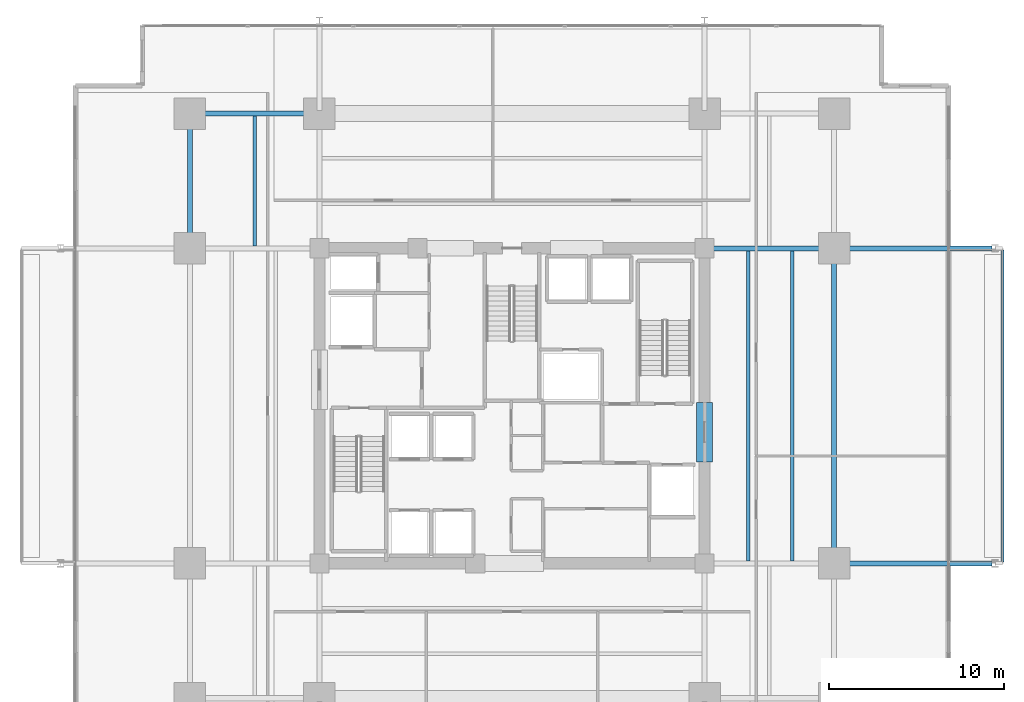
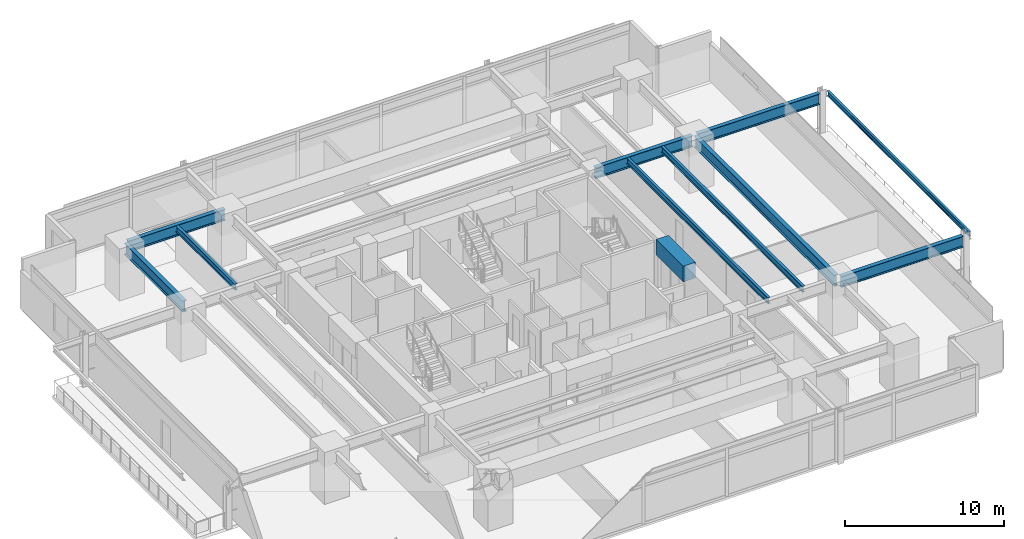
# One storey, part 7 of 21: 11 beams.
"""IFC4 building model written with IfcOpenShell, lengths in metres."""

import ifcopenshell
import ifcopenshell.guid

model = None  # the IFC model being written
_history = None  # IfcOwnerHistory: only IFC2X3 demands one
_inside = {}  # id of a spatial element -> (the spatial element, [elements in it])
_under = {}  # id of a project, library or spatial element -> (it, [spatial elements below it])
_declared = {}  # id of a project -> (the project, [libraries it declares])
_typed = {}  # id of a type object -> (the type object, [elements of that type])
_made_of = {}  # id of a material, layer set ... -> (it, [elements and type objects made of it])


def new_model(schema):
    """Start an empty IFC model of exactly this schema.

    Asked for "IFC4X3", IfcOpenShell would pick the latest addendum, in which some entities
    have other attributes; the version numbers below select the first issue.
    IFC2X3 requires an IfcOwnerHistory on every rooted entity: one is made here for all.
    """
    global model, _history
    if schema == "IFC4X3":
        model = ifcopenshell.file(schema_version=(4, 3, 0, 0))
    else:
        model = ifcopenshell.file(schema=schema)
    _inside.clear()
    _under.clear()
    _declared.clear()
    _typed.clear()
    _made_of.clear()
    _history = None
    if model.schema == "IFC2X3":
        org = make("IfcOrganization", Name="unknown")
        user = make(
            "IfcPersonAndOrganization",
            ThePerson=make("IfcPerson", FamilyName="unknown"),
            TheOrganization=org,
        )
        app = make(
            "IfcApplication",
            ApplicationDeveloper=org,
            Version="unknown",
            ApplicationFullName="unknown",
            ApplicationIdentifier="unknown",
        )
        _history = make(
            "IfcOwnerHistory",
            OwningUser=user,
            OwningApplication=app,
            ChangeAction="ADDED",
            CreationDate=0,
        )
    return model


def make(cls, **values):
    """One entity of the class cls with the attributes given. An attribute that is None is left unset."""
    return model.create_entity(
        cls, **{name: value for name, value in values.items() if value is not None}
    )


def rooted(cls, **values):
    """An entity with a GlobalId (a new one), such as an element, a storey or a relation."""
    return make(cls, GlobalId=ifcopenshell.guid.new(), OwnerHistory=_history, **values)


def si_unit(unit_type, name, prefix=None):
    """IfcSIUnit, for example si_unit("LENGTHUNIT", "METRE", prefix="MILLI")."""
    return make("IfcSIUnit", UnitType=unit_type, Prefix=prefix, Name=name)


def assignment(units):
    """IfcUnitAssignment: the units of a project."""
    return None if units is None else make("IfcUnitAssignment", Units=units)


def point(xyz):
    """IfcCartesianPoint."""
    return None if xyz is None else make("IfcCartesianPoint", Coordinates=xyz)


def direction(xyz):
    """IfcDirection."""
    return None if xyz is None else make("IfcDirection", DirectionRatios=xyz)


def frame(location, z_axis=None, x_axis=None):
    """IfcAxis2Placement3D, a coordinate frame: its origin and axes. An axis left out is left unset."""
    return make(
        "IfcAxis2Placement3D",
        Location=point(location),
        Axis=direction(z_axis),
        RefDirection=direction(x_axis),
    )


def frame_2d(location, x_axis=None):
    """IfcAxis2Placement2D, a coordinate frame in the plane: its origin and x axis."""
    return make(
        "IfcAxis2Placement2D", Location=point(location), RefDirection=direction(x_axis)
    )


def origin():
    """The frame at (0, 0, 0) with its axes left unset."""
    return frame((0.0, 0.0, 0.0))


def origin_2d():
    """The frame at (0, 0) in the plane with its x axis left unset."""
    return frame_2d((0.0, 0.0))


def place(relative_to, where):
    """IfcLocalPlacement: puts the frame where relative to a parent placement (None: the world)."""
    return make(
        "IfcLocalPlacement", PlacementRelTo=relative_to, RelativePlacement=where
    )


def context(
    kind, dimensions, precision=None, world=None, true_north=None, identifier=None
):
    """IfcGeometricRepresentationContext, for example the 3D "Model" context."""
    return make(
        "IfcGeometricRepresentationContext",
        ContextIdentifier=identifier,
        ContextType=kind,
        CoordinateSpaceDimension=dimensions,
        Precision=precision,
        WorldCoordinateSystem=world,
        TrueNorth=true_north,
    )


def subcontext(parent, identifier, kind, view, scale=None):
    """IfcGeometricRepresentationSubContext, for example "Body" below "Model"."""
    return make(
        "IfcGeometricRepresentationSubContext",
        ContextIdentifier=identifier,
        ContextType=kind,
        ParentContext=parent,
        TargetScale=scale,
        TargetView=view,
    )


def project(units=None, contexts=None):
    """IfcProject with its units and contexts."""
    return rooted(
        "IfcProject",
        Name="project",
        RepresentationContexts=contexts,
        UnitsInContext=assignment(units),
    )


def spatial(cls, under=None, at=None, **own):
    """A site, building, storey or space (cls), placed at a placement, below another one or the project."""
    s = rooted(cls, ObjectPlacement=at, **own)
    if under is not None:
        _under.setdefault(under.id(), (under, []))[1].append(s)
    return s


def profile(cls, at=None, kind="AREA", **sizes):
    """A parametric profile (cls). Its sizes go by their IFC names, for example OverallWidth=200.0."""
    return make(cls, ProfileType=kind, Position=at, **sizes)


def rectangle(**sizes):
    """IfcRectangleProfileDef."""
    return profile("IfcRectangleProfileDef", **sizes)


def i_section(**sizes):
    """IfcIShapeProfileDef."""
    return profile("IfcIShapeProfileDef", **sizes)


def extrude(swept, where, along, depth):
    """IfcExtrudedAreaSolid: the profile swept, set in the frame where, extruded along a direction by depth."""
    return make(
        "IfcExtrudedAreaSolid",
        SweptArea=swept,
        Position=where,
        ExtrudedDirection=direction(along),
        Depth=depth,
    )


def shape(context_of_items, identifier, shape_type, items):
    """IfcShapeRepresentation: the items that make up one representation, for example the "Body"."""
    return make(
        "IfcShapeRepresentation",
        ContextOfItems=context_of_items,
        RepresentationIdentifier=identifier,
        RepresentationType=shape_type,
        Items=items,
    )


def material(Name=None, Category=None):
    """IfcMaterial."""
    return make("IfcMaterial", Name=Name, Category=Category)


def material_profile(
    of_material, cross_section, Name=None, Category=None, Priority=None
):
    """IfcMaterialProfile: a cross section and its material."""
    return make(
        "IfcMaterialProfile",
        Name=Name,
        Material=of_material,
        Profile=cross_section,
        Priority=Priority,
        Category=Category,
    )


def profile_set(profiles, Name=None, composite=None):
    """IfcMaterialProfileSet."""
    return make(
        "IfcMaterialProfileSet",
        Name=Name,
        MaterialProfiles=profiles,
        CompositeProfile=composite,
    )


def made_of(thing, what):
    """Note that an element or type object is made of a material, layer set ...; save() writes the relation."""
    if what is not None:
        _made_of.setdefault(what.id(), (what, []))[1].append(thing)
    return thing


def type_object(cls, material=None, **own):
    """A type object (cls), such as IfcWallType, which elements share."""
    return made_of(rooted(cls, **own), material)


def element(
    cls,
    number,
    at=None,
    inside=None,
    cuts=None,
    type_object=None,
    material=None,
    context=None,
    identifier="Body",
    shape_type=None,
    held_by="IfcProductDefinitionShape",
    body=None,
    shapes=None,
    **own,
):
    """One element of the class cls, such as IfcWall. Its Tag is "e" and its number.

    at: its placement. inside: the storey or other place that contains it. cuts: it is an
    opening in that element (IfcRelVoidsElement). A single representation is given by context,
    identifier, shape_type and body (its items); several are given by shapes. held_by: the class
    of the entity that holds the representations. save() writes the other relations.
    """
    e = rooted(cls, Tag="e%d" % number, ObjectPlacement=at, **own)
    if body is not None:
        shapes = [shape(context, identifier, shape_type, body)]
    if shapes is not None:
        e.Representation = make(held_by, Representations=shapes)
    if inside is not None:
        _inside.setdefault(inside.id(), (inside, []))[1].append(e)
    if cuts is not None:
        rooted(
            "IfcRelVoidsElement", RelatingBuildingElement=cuts, RelatedOpeningElement=e
        )
    if type_object is not None:
        _typed.setdefault(type_object.id(), (type_object, []))[1].append(e)
    return made_of(e, material)


def aggregate(whole, parts):
    """IfcRelAggregates: a whole, such as a stair, and the parts it consists of."""
    return rooted("IfcRelAggregates", RelatingObject=whole, RelatedObjects=parts)


def save(model, path):
    """Write the relations noted so far, then the file.

    IfcRelAggregates (storeys below a building ...), IfcRelContainedInSpatialStructure (elements
    in a storey), IfcRelDefinesByType, IfcRelAssociatesMaterial and IfcRelDeclares: one each for
    every whole, place, type object, material and project.
    """
    for whole, parts in _under.values():
        aggregate(whole, parts)
    for where, things in _inside.values():
        rooted(
            "IfcRelContainedInSpatialStructure",
            RelatedElements=things,
            RelatingStructure=where,
        )
    for kind, things in _typed.values():
        rooted("IfcRelDefinesByType", RelatedObjects=things, RelatingType=kind)
    for what, things in _made_of.values():
        rooted("IfcRelAssociatesMaterial", RelatedObjects=things, RelatingMaterial=what)
    for by, libraries in _declared.values():
        rooted("IfcRelDeclares", RelatingContext=by, RelatedDefinitions=libraries)
    model.write(path)


model = new_model("IFC4")

# Units and contexts
model_context = context("Model", 3, precision=1e-05, world=origin(), true_north=direction((0.0, 1.0)))
body_context = subcontext(model_context, "Body", "Model", "MODEL_VIEW")
ifc_project = project(units=[si_unit("LENGTHUNIT", "METRE"), si_unit("AREAUNIT", "SQUARE_METRE"), si_unit("VOLUMEUNIT", "CUBIC_METRE"), si_unit("PLANEANGLEUNIT", "RADIAN"), si_unit("MASSUNIT", "GRAM", prefix="KILO")], contexts=[model_context])

# Site, building, storey
site_placement = place(None, origin())
site = spatial("IfcSite", under=ifc_project, at=site_placement, CompositionType="ELEMENT")
building_placement = place(site_placement, origin())
building = spatial("IfcBuilding", under=site, at=building_placement, Name="Kovane Verandah Tower", CompositionType="ELEMENT")
storey_placement = place(building_placement, frame((0.0, 0.0, 31.60009765625)))
storey = spatial("IfcBuildingStorey", under=building, at=storey_placement, Name="L06", CompositionType="ELEMENT", Elevation=31.60009765625)

# Beams
ifc_material_1 = material(Name="Concrete C80/95", Category="concrete")
ifc_material_profile_1 = material_profile(ifc_material_1, rectangle(XDim=0.89990234375, YDim=1.199951171875, at=origin_2d()), Name="RCB900x1200")
ifc_profile_set_1 = profile_set([ifc_material_profile_1], Name="Concrete C80/95")
beam_type_1 = type_object("IfcBeamType", Name="BM-LINTEL-900x1200", PredefinedType="LINTEL", material=ifc_profile_set_1)
beam_1_placement = place(storey_placement, frame((51.0, 24.300048828125, 3.159912109375), z_axis=(0.0, 1.0, 0.0), x_axis=(-1.0, 0.0, 0.0)))
element("IfcBeam", 1, at=beam_1_placement, inside=storey, type_object=beam_type_1, Name="L06 Core Coupling Lintel CL-E", PredefinedType="LINTEL", context=body_context, shape_type="SweptSolid", body=[
    extrude(rectangle(XDim=0.89990234375, YDim=1.199951171875, at=origin_2d()), origin(), (0.0, 0.0, 1.0), 3.39990234375),
])
ifc_material_2 = material(Name="Steel S355", Category="steel")
ifc_material_profile_2 = material_profile(ifc_material_2, i_section(OverallWidth=0.293701171875, OverallDepth=0.850830078125, WebThickness=0.01611328125, FlangeThickness=0.02685546875, FilletRadius=0.017822265625, at=origin_2d()), Name="UB838x292x226")
ifc_profile_set_2 = profile_set([ifc_material_profile_2], Name="Steel S355")
beam_type_2 = type_object("IfcBeamType", Name="BM-UB838x226", PredefinedType="BEAM", material=ifc_profile_set_2)
beam_2_placement = place(storey_placement, frame((21.780029296875, 44.199951171875, 3.33447265625), z_axis=(1.0, 0.0, 0.0), x_axis=(0.0, 1.0, 0.0)))
element("IfcBeam", 2, at=beam_2_placement, inside=storey, type_object=beam_type_2, Name="L06 Primary Tower Girder G-RN1", PredefinedType="BEAM", context=body_context, shape_type="SweptSolid", body=[
    extrude(i_section(OverallWidth=0.293701171875, OverallDepth=0.850830078125, WebThickness=0.01611328125, FlangeThickness=0.02685546875, FilletRadius=0.017822265625, at=origin_2d()), origin(), (0.0, 0.0, 1.0), 7.0400390625),
])
beam_3_placement = place(storey_placement, frame((21.60009765625, 36.679931640625, 3.33447265625), z_axis=(0.0, 1.0, 0.0), x_axis=(-1.0, 0.0, 0.0)))
element("IfcBeam", 3, at=beam_3_placement, inside=storey, type_object=beam_type_2, Name="L06 Primary Tower Girder G-RW3", PredefinedType="BEAM", context=body_context, shape_type="SweptSolid", body=[
    extrude(i_section(OverallWidth=0.293701171875, OverallDepth=0.850830078125, WebThickness=0.01611328125, FlangeThickness=0.02685546875, FilletRadius=0.017822265625, at=origin_2d()), origin(), (0.0, 0.0, 1.0), 7.340087890625),
])
beam_4_placement = place(storey_placement, frame((58.39990234375, 18.679931640625, 3.33447265625), z_axis=(0.0, 1.0, 0.0), x_axis=(-1.0, 0.0, 0.0)))
element("IfcBeam", 4, at=beam_4_placement, inside=storey, type_object=beam_type_2, Name="L06 Primary Tower Girder G-RE2", PredefinedType="BEAM", context=body_context, shape_type="SweptSolid", body=[
    extrude(i_section(OverallWidth=0.293701171875, OverallDepth=0.850830078125, WebThickness=0.01611328125, FlangeThickness=0.02685546875, FilletRadius=0.017822265625, at=origin_2d()), origin(), (0.0, 0.0, 1.0), 17.64013671875),
])
beam_5_placement = place(storey_placement, frame((51.179931640625, 36.5, 3.33447265625), z_axis=(1.0, 0.0, 0.0), x_axis=(0.0, 1.0, 0.0)))
element("IfcBeam", 5, at=beam_5_placement, inside=storey, type_object=beam_type_2, Name="L06 Primary Tower Girder G-E2", PredefinedType="BEAM", context=body_context, shape_type="SweptSolid", body=[
    extrude(i_section(OverallWidth=0.293701171875, OverallDepth=0.850830078125, WebThickness=0.01611328125, FlangeThickness=0.02685546875, FilletRadius=0.017822265625, at=origin_2d()), origin(), (0.0, 0.0, 1.0), 7.0400390625),
])
for number, where, z_axis, x_axis, name in (
    (6, (58.580078125, 18.5, 3.33447265625), (1.0, 0.0, 0.0), (0.0, 1.0, 0.0), "L06 Primary Tower Girder G-VE1"),
    (7, (58.580078125, 36.5, 3.33447265625), (1.0, 0.0, 0.0), (0.0, 1.0, 0.0), "L06 Primary Tower Girder G-VE2"),
):
    element("IfcBeam", number, at=place(storey_placement, frame(where, z_axis=z_axis, x_axis=x_axis)), inside=storey, type_object=beam_type_2, Name=name, PredefinedType="BEAM", context=body_context, shape_type="SweptSolid", body=[
        extrude(i_section(OverallWidth=0.293701171875, OverallDepth=0.850830078125, WebThickness=0.01611328125, FlangeThickness=0.02685546875, FilletRadius=0.017822265625, at=origin_2d()), origin(), (0.0, 0.0, 1.0), 8.83984375),
    ])
ifc_material_profile_3 = material_profile(ifc_material_2, i_section(OverallWidth=0.19287109375, OverallDepth=0.46728515625, WebThickness=0.011474609375, FlangeThickness=0.01953125, FilletRadius=0.01025390625, at=origin_2d()), Name="UB457x191x98")
ifc_profile_set_3 = profile_set([ifc_material_profile_3], Name="Steel S355")
beam_type_3 = type_object("IfcBeamType", Name="JST-UB457x98", PredefinedType="JOIST", material=ifc_profile_set_3)
for number, where, z_axis, x_axis, name in (
    (8, (53.5, 18.64501953125, 3.5263671875), (0.0, 1.0, 0.0), (-1.0, 0.0, 0.0), "L06 Secondary Composite Joist J-E1"),
    (9, (56.0, 18.64501953125, 3.5263671875), (0.0, 1.0, 0.0), (-1.0, 0.0, 0.0), "L06 Secondary Composite Joist J-E2"),
):
    element("IfcBeam", number, at=place(storey_placement, frame(where, z_axis=z_axis, x_axis=x_axis)), inside=storey, type_object=beam_type_3, Name=name, PredefinedType="JOIST", context=body_context, shape_type="SweptSolid", body=[
        extrude(i_section(OverallWidth=0.19287109375, OverallDepth=0.46728515625, WebThickness=0.011474609375, FlangeThickness=0.01953125, FilletRadius=0.01025390625, at=origin_2d()), origin(), (0.0, 0.0, 1.0), 17.7099609375),
    ])
beam_6_placement = place(storey_placement, frame((25.300048828125, 36.64501953125, 3.5263671875), z_axis=(0.0, 1.0, 0.0), x_axis=(-1.0, 0.0, 0.0)))
element("IfcBeam", 10, at=beam_6_placement, inside=storey, type_object=beam_type_3, Name="L06 Secondary Composite Joist J-NW1", PredefinedType="JOIST", context=body_context, shape_type="SweptSolid", body=[
    extrude(i_section(OverallWidth=0.19287109375, OverallDepth=0.46728515625, WebThickness=0.011474609375, FlangeThickness=0.01953125, FilletRadius=0.01025390625, at=origin_2d()), origin(), (0.0, 0.0, 1.0), 7.41015625),
])
ifc_material_profile_4 = material_profile(ifc_material_2, i_section(OverallWidth=0.173095703125, OverallDepth=0.36328125, WebThickness=0.009033203125, FlangeThickness=0.015625, FilletRadius=0.01025390625, at=origin_2d()), Name="UB356x171x67")
ifc_profile_set_4 = profile_set([ifc_material_profile_4], Name="Steel S355")
beam_type_4 = type_object("IfcBeamType", Name="SPD-UB356x67", PredefinedType="USERDEFINED", material=ifc_profile_set_4)
beam_7_placement = place(storey_placement, frame((68.0205078125, 18.594482421875, 3.578125), z_axis=(0.0, 1.0, 0.0), x_axis=(-1.0, 0.0, 0.0)))
element("IfcBeam", 11, at=beam_7_placement, inside=storey, type_object=beam_type_4, Name="L06 East Planter Edge Spandrel", ObjectType="SPANDREL", PredefinedType="USERDEFINED", context=body_context, shape_type="SweptSolid", body=[
    extrude(i_section(OverallWidth=0.173095703125, OverallDepth=0.36328125, WebThickness=0.009033203125, FlangeThickness=0.015625, FilletRadius=0.01025390625, at=origin_2d()), origin(), (0.0, 0.0, 1.0), 17.81103515625),
])

save(model, "model.ifc")
